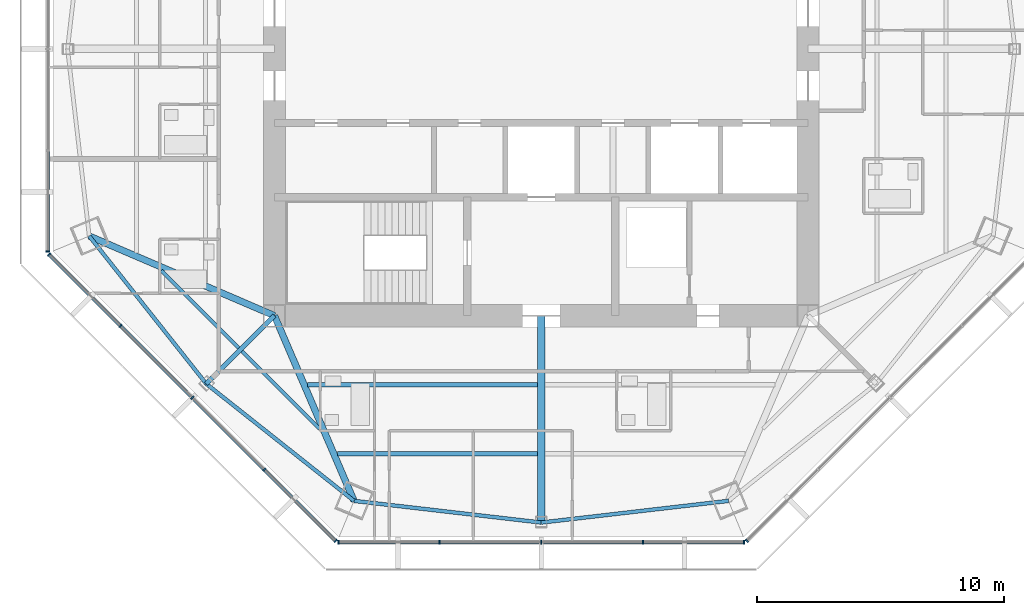
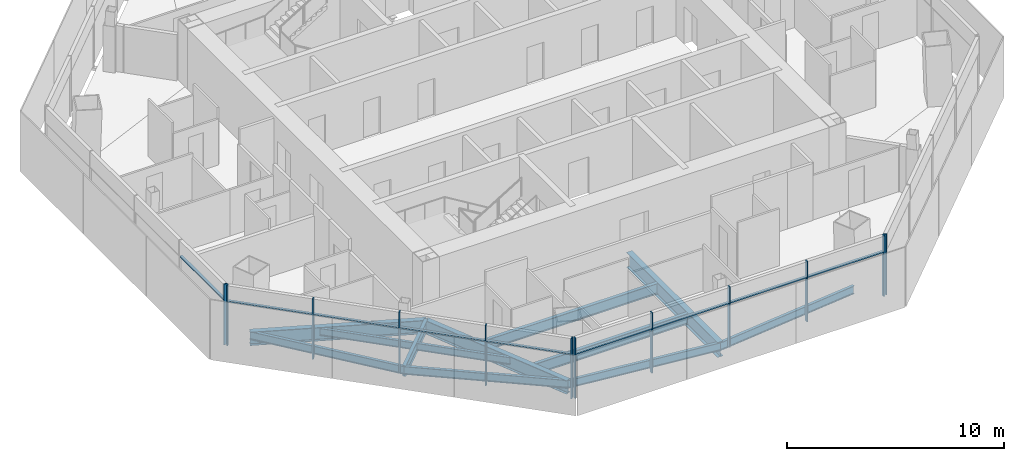
# One storey, part 2 of 14: 21 members, 12 beams, 4 elements without a shape of their own.
"""IFC4 building model written with IfcOpenShell, lengths in metres."""

from ifc_helpers import new_model, si_unit, direction, frame, origin, origin_2d, place, context, subcontext, project, spatial, rectangle, i_section, extrude, source, transform, mapped, material, material_profile, profile_set, type_object, type_shapes, element, aggregate, save


model = new_model("IFC4")

# Units and contexts
model_context = context("Model", 3, precision=1e-05, world=origin(), true_north=direction((0.0, 1.0)))
body_context = subcontext(model_context, "Body", "Model", "MODEL_VIEW")
ifc_project = project(units=[si_unit("LENGTHUNIT", "METRE"), si_unit("AREAUNIT", "SQUARE_METRE"), si_unit("VOLUMEUNIT", "CUBIC_METRE"), si_unit("PLANEANGLEUNIT", "RADIAN"), si_unit("MASSUNIT", "GRAM", prefix="KILO")], contexts=[model_context])

# Site, building, storey
site_placement = place(None, origin())
site = spatial("IfcSite", under=ifc_project, at=site_placement, CompositionType="ELEMENT")
building_placement = place(site_placement, origin())
building = spatial("IfcBuilding", under=site, at=building_placement, Name="Mashrafa Tower", CompositionType="ELEMENT")
storey_placement = place(building_placement, frame((0.0, 0.0, 284.39990234375)))
storey = spatial("IfcBuildingStorey", under=building, at=storey_placement, Name="L69", CompositionType="ELEMENT", Elevation=284.39990234375)

# Beams
ifc_material_1 = material(Name="Steel ASTM A992", Category="steel")
ifc_material_profile_1 = material_profile(ifc_material_1, i_section(OverallWidth=0.140380859375, OverallDepth=0.40380859375, WebThickness=0.007080078125, FlangeThickness=0.01123046875, FilletRadius=0.01025390625, at=origin_2d()), Name="W16X31")
ifc_profile_set_1 = profile_set([ifc_material_profile_1], Name="Steel ASTM A992")
beam_type_1 = type_object("IfcBeamType", Name="Beam W16X31", PredefinedType="BEAM", material=ifc_profile_set_1)
for number, where, z_axis, x_axis, name in (
    (1, (-12.242431640625, -12.116455078125, -0.40185546875), (-0.707106781187, 0.707106781187, 0.0), (-0.707106781187, -0.707106781187, 0.0), "Floor beam L69 006"),
    (2, (-8.97607421875, -15.3828125, -0.40185546875), (-0.707106781187, 0.707106781187, 0.0), (-0.707106781187, -0.707106781187, 0.0), "Floor beam L69 009"),
):
    element("IfcBeam", number, at=place(storey_placement, frame(where, z_axis=z_axis, x_axis=x_axis)), inside=storey, type_object=beam_type_1, Name=name, PredefinedType="BEAM", context=body_context, shape_type="SweptSolid", body=[
        extrude(i_section(OverallWidth=0.140380859375, OverallDepth=0.40380859375, WebThickness=0.007080078125, FlangeThickness=0.01123046875, FilletRadius=0.01025390625, at=origin_2d()), origin(), (0.0, 0.0, 1.0), 4.441162109375),
    ])
ifc_material_2 = material(Name="Steel ASTM A992", Category="steel")
ifc_material_profile_2 = material_profile(ifc_material_2, i_section(OverallWidth=0.15234375, OverallDepth=0.449462890625, WebThickness=0.007568359375, FlangeThickness=0.0107421875, FilletRadius=0.01025390625, at=origin_2d()), Name="W18X35")
ifc_profile_set_2 = profile_set([ifc_material_profile_2], Name="Steel ASTM A992")
beam_type_2 = type_object("IfcBeamType", Name="Beam W18X35", PredefinedType="BEAM", material=ifc_profile_set_2)
for number, where, z_axis, x_axis, name in (
    (3, (-18.296875, -7.578857421875, -0.4248046875), (0.621015992224, -0.783797893211, 0.0), (0.783797893211, 0.621015992224, 0.0), "Spandrel beam L69 042"),
    (4, (-13.558837890625, -13.558837890625, -0.4248046875), (0.783797893211, -0.621015992224, 0.0), (0.621015992224, 0.783797893211, 0.0), "Spandrel beam L69 044"),
):
    element("IfcBeam", number, at=place(storey_placement, frame(where, z_axis=z_axis, x_axis=x_axis)), inside=storey, type_object=beam_type_2, Name=name, PredefinedType="BEAM", context=body_context, shape_type="SweptSolid", body=[
        extrude(i_section(OverallWidth=0.15234375, OverallDepth=0.449462890625, WebThickness=0.007568359375, FlangeThickness=0.0107421875, FilletRadius=0.01025390625, at=origin_2d()), origin(), (0.0, 0.0, 1.0), 7.62939453125),
    ])
for number, where, z_axis, x_axis, name in (
    (5, (-7.578857421875, -18.296875, -0.4248046875), (0.993353745057, -0.115101421286, 0.0), (0.115101421286, 0.993353745057, 0.0), "Spandrel beam L69 046"),
    (6, (0.0, -19.175048828125, -0.4248046875), (0.993353745057, 0.115101421286, 0.0), (-0.115101421286, 0.993353745057, 0.0), "Spandrel beam L69 048"),
):
    element("IfcBeam", number, at=place(storey_placement, frame(where, z_axis=z_axis, x_axis=x_axis)), inside=storey, type_object=beam_type_2, Name=name, PredefinedType="BEAM", context=body_context, shape_type="SweptSolid", body=[
        extrude(i_section(OverallWidth=0.15234375, OverallDepth=0.449462890625, WebThickness=0.007568359375, FlangeThickness=0.0107421875, FilletRadius=0.01025390625, at=origin_2d()), origin(), (0.0, 0.0, 1.0), 7.629638671875),
    ])
ifc_material_3 = material(Name="Steel ASTM A992", Category="steel")
ifc_material_profile_3 = material_profile(ifc_material_3, i_section(OverallWidth=0.177978515625, OverallDepth=0.599365234375, WebThickness=0.010009765625, FlangeThickness=0.012939453125, FilletRadius=0.012939453125, at=origin_2d()), Name="W24X55")
ifc_profile_set_3 = profile_set([ifc_material_profile_3], Name="Steel ASTM A992")
beam_type_3 = type_object("IfcBeamType", Name="Beam W24X55", PredefinedType="BEAM", material=ifc_profile_set_3)
beam_1_placement = place(storey_placement, frame((-0.14599609375, -16.38330078125, -0.49951171875), z_axis=(-1.0, 0.0, 0.0), x_axis=(0.0, -1.0, 0.0)))
element("IfcBeam", 7, at=beam_1_placement, inside=storey, type_object=beam_type_3, Name="Floor beam L69 011", PredefinedType="BEAM", context=body_context, shape_type="SweptSolid", body=[
    extrude(i_section(OverallWidth=0.177978515625, OverallDepth=0.599365234375, WebThickness=0.010009765625, FlangeThickness=0.012939453125, FilletRadius=0.012939453125, at=origin_2d()), origin(), (0.0, 0.0, 1.0), 8.10986328125),
])
beam_2_placement = place(storey_placement, frame((-0.14599609375, -13.591796875, -0.49951171875), z_axis=(-1.0, 0.0, 0.0), x_axis=(0.0, -1.0, 0.0)))
element("IfcBeam", 8, at=beam_2_placement, inside=storey, type_object=beam_type_3, Name="Floor beam L69 012", PredefinedType="BEAM", context=body_context, shape_type="SweptSolid", body=[
    extrude(i_section(OverallWidth=0.177978515625, OverallDepth=0.599365234375, WebThickness=0.010009765625, FlangeThickness=0.012939453125, FilletRadius=0.012939453125, at=origin_2d()), origin(), (0.0, 0.0, 1.0), 9.309326171875),
])
beam_3_placement = place(storey_placement, frame((-10.800048828125, -10.800048828125, -0.49951171875), z_axis=(-0.707106781187, -0.707106781187, 0.0), x_axis=(0.707106781187, -0.707106781187, 0.0)))
element("IfcBeam", 9, at=beam_3_placement, inside=storey, type_object=beam_type_3, Name="Radial girder L69 026", PredefinedType="BEAM", context=body_context, shape_type="SweptSolid", body=[
    extrude(i_section(OverallWidth=0.177978515625, OverallDepth=0.599365234375, WebThickness=0.010009765625, FlangeThickness=0.012939453125, FilletRadius=0.012939453125, at=origin_2d()), origin(), (0.0, 0.0, 1.0), 3.901611328125),
])
ifc_material_4 = material(Name="Steel ASTM A992", Category="steel")
ifc_material_profile_4 = material_profile(ifc_material_4, i_section(OverallWidth=0.2666015625, OverallDepth=0.761962890625, WebThickness=0.014404296875, FlangeThickness=0.021484375, FilletRadius=0.0166015625, at=origin_2d()), Name="W30X116")
ifc_profile_set_4 = profile_set([ifc_material_profile_4], Name="Steel ASTM A992")
beam_type_4 = type_object("IfcBeamType", Name="Beam W30X116", PredefinedType="BEAM", material=ifc_profile_set_4)
for number, where, z_axis, x_axis, name in (
    (10, (-10.800048828125, -10.800048828125, -0.580810546875), (-0.918777843899, 0.394774965721, 0.0), (-0.394774965721, -0.918777843899, 0.0), "Radial girder L69 025"),
    (11, (-10.800048828125, -10.800048828125, -0.580810546875), (0.394774965721, -0.918777843899, 0.0), (0.918777843899, 0.394774965721, 0.0), "Radial girder L69 027"),
):
    element("IfcBeam", number, at=place(storey_placement, frame(where, z_axis=z_axis, x_axis=x_axis)), inside=storey, type_object=beam_type_4, Name=name, PredefinedType="BEAM", context=body_context, shape_type="SweptSolid", body=[
        extrude(i_section(OverallWidth=0.2666015625, OverallDepth=0.761962890625, WebThickness=0.014404296875, FlangeThickness=0.021484375, FilletRadius=0.0166015625, at=origin_2d()), origin(), (0.0, 0.0, 1.0), 8.15966796875),
    ])
ifc_material_5 = material(Name="Steel ASTM A992", Category="steel")
ifc_material_profile_5 = material_profile(ifc_material_5, i_section(OverallWidth=0.2919921875, OverallDepth=0.845703125, WebThickness=0.015380859375, FlangeThickness=0.0244140625, FilletRadius=0.017333984375, at=origin_2d()), Name="W33X141")
ifc_profile_set_5 = profile_set([ifc_material_profile_5], Name="Steel ASTM A992")
beam_type_5 = type_object("IfcBeamType", Name="Beam W33X141", PredefinedType="BEAM", material=ifc_profile_set_5)
beam_4_placement = place(storey_placement, frame((0.0, -10.800048828125, -0.622802734375), z_axis=(0.0, -1.0, 0.0), x_axis=(1.0, 0.0, 0.0)))
element("IfcBeam", 12, at=beam_4_placement, inside=storey, type_object=beam_type_5, Name="Radial girder L69 032", PredefinedType="BEAM", context=body_context, shape_type="SweptSolid", body=[
    extrude(i_section(OverallWidth=0.2919921875, OverallDepth=0.845703125, WebThickness=0.015380859375, FlangeThickness=0.0244140625, FilletRadius=0.017333984375, at=origin_2d()), origin(), (0.0, 0.0, 1.0), 8.375),
])

# Curtain wall, member
ifc_material_6 = material(Name="Unitised aluminium curtain wall", Category="aluminium")
curtain_wall_type = type_object("IfcCurtainWallType", Name="Apartment curtain wall, zone 4 CW-D 160 deep", PredefinedType="NOTDEFINED", material=ifc_material_6)
curtain_wall_1_placement = place(storey_placement, origin())
curtain_wall_1 = element("IfcCurtainWall", 13, at=curtain_wall_1_placement, inside=storey, type_object=curtain_wall_type, Name="Apartment curtain wall, zone 4 L69 west", PredefinedType="NOTDEFINED")
ifc_material_7 = material(Name="Extruded aluminium mullion", Category="aluminium")
ifc_material_profile_6 = material_profile(ifc_material_7, rectangle(XDim=0.159912109375, YDim=0.06005859375, at=origin_2d()), Name="Mullion 60x160")
ifc_profile_set_6 = profile_set([ifc_material_profile_6], Name="Extruded aluminium mullion")
member_type_1 = type_object("IfcMemberType", Name="Mullion CW-D 60 x 160", PredefinedType="MULLION", material=ifc_profile_set_6)
shared_shape_1 = source(origin(), body_context, "Body", "SweptSolid", [
    extrude(rectangle(XDim=0.159912109375, YDim=0.06005859375, at=origin_2d()), origin(), (0.0, 0.0, 1.0), 3.400146484375),
])
type_shapes(member_type_1, [shared_shape_1])
member_1_placement = place(storey_placement, frame((-19.969482421875, -8.198486328125, 0.0), z_axis=(0.0, 0.0, 1.0), x_axis=(1.0, 0.0, 0.0)))
member_1 = element("IfcMember", 14, at=member_1_placement, type_object=member_type_1, Name="CW-D mullion 5", PredefinedType="MULLION", context=body_context, shape_type="MappedRepresentation", body=[
    mapped(shared_shape_1, transform((0.0, 0.0, 0.0))),
])

# Curtain wall, members
curtain_wall_2_placement = place(storey_placement, origin())
curtain_wall_2 = element("IfcCurtainWall", 15, at=curtain_wall_2_placement, inside=storey, type_object=curtain_wall_type, Name="Apartment curtain wall, zone 4 L69 south-west", PredefinedType="NOTDEFINED")
member_2_placement = place(storey_placement, frame((-19.917724609375, -8.3232421875, 0.0), z_axis=(0.0, 0.0, 1.0), x_axis=(0.707106781187, 0.707106781187, 0.0)))
member_2 = element("IfcMember", 16, at=member_2_placement, type_object=member_type_1, Name="CW-D mullion 1", PredefinedType="MULLION", context=body_context, shape_type="MappedRepresentation", body=[
    mapped(shared_shape_1, transform((0.0, 0.0, 0.0))),
])
member_3_placement = place(storey_placement, frame((-17.02978515625, -11.21142578125, 0.0), z_axis=(0.0, 0.0, 1.0), x_axis=(0.707106781187, 0.707106781187, 0.0)))
member_3 = element("IfcMember", 17, at=member_3_placement, type_object=member_type_1, Name="CW-D mullion 2", PredefinedType="MULLION", context=body_context, shape_type="MappedRepresentation", body=[
    mapped(shared_shape_1, transform((0.0, 0.0, 0.0))),
])
member_4_placement = place(storey_placement, frame((-14.12060546875, -14.12060546875, 0.0), z_axis=(0.0, 0.0, 1.0), x_axis=(0.707106781187, 0.707106781187, 0.0)))
member_4 = element("IfcMember", 18, at=member_4_placement, type_object=member_type_1, Name="CW-D mullion 3", PredefinedType="MULLION", context=body_context, shape_type="MappedRepresentation", body=[
    mapped(shared_shape_1, transform((0.0, 0.0, 0.0))),
])
member_5_placement = place(storey_placement, frame((-11.21142578125, -17.02978515625, 0.0), z_axis=(0.0, 0.0, 1.0), x_axis=(0.707106781187, 0.707106781187, 0.0)))
member_5 = element("IfcMember", 19, at=member_5_placement, type_object=member_type_1, Name="CW-D mullion 4", PredefinedType="MULLION", context=body_context, shape_type="MappedRepresentation", body=[
    mapped(shared_shape_1, transform((0.0, 0.0, 0.0))),
])
member_6_placement = place(storey_placement, frame((-8.3232421875, -19.917724609375, 0.0), z_axis=(0.0, 0.0, 1.0), x_axis=(0.707106781187, 0.707106781187, 0.0)))
member_6 = element("IfcMember", 20, at=member_6_placement, type_object=member_type_1, Name="CW-D mullion 5", PredefinedType="MULLION", context=body_context, shape_type="MappedRepresentation", body=[
    mapped(shared_shape_1, transform((0.0, 0.0, 0.0))),
])

curtain_wall_3_placement = place(storey_placement, origin())
curtain_wall_3 = element("IfcCurtainWall", 21, at=curtain_wall_3_placement, inside=storey, type_object=curtain_wall_type, Name="Apartment curtain wall, zone 4 L69 south", PredefinedType="NOTDEFINED")
member_7_placement = place(storey_placement, frame((-8.198486328125, -19.969482421875, 0.0), z_axis=(0.0, 0.0, 1.0), x_axis=(0.0, 1.0, 0.0)))
member_7 = element("IfcMember", 22, at=member_7_placement, type_object=member_type_1, Name="CW-D mullion 1", PredefinedType="MULLION", context=body_context, shape_type="MappedRepresentation", body=[
    mapped(shared_shape_1, transform((0.0, 0.0, 0.0))),
])
member_8_placement = place(storey_placement, frame((-4.1142578125, -19.969482421875, 0.0), z_axis=(0.0, 0.0, 1.0), x_axis=(0.0, 1.0, 0.0)))
member_8 = element("IfcMember", 23, at=member_8_placement, type_object=member_type_1, Name="CW-D mullion 2", PredefinedType="MULLION", context=body_context, shape_type="MappedRepresentation", body=[
    mapped(shared_shape_1, transform((0.0, 0.0, 0.0))),
])
member_9_placement = place(storey_placement, frame((0.0, -19.969482421875, 0.0), z_axis=(0.0, 0.0, 1.0), x_axis=(0.0, 1.0, 0.0)))
member_9 = element("IfcMember", 24, at=member_9_placement, type_object=member_type_1, Name="CW-D mullion 3", PredefinedType="MULLION", context=body_context, shape_type="MappedRepresentation", body=[
    mapped(shared_shape_1, transform((0.0, 0.0, 0.0))),
])
member_10_placement = place(storey_placement, frame((4.1142578125, -19.969482421875, 0.0), z_axis=(0.0, 0.0, 1.0), x_axis=(0.0, 1.0, 0.0)))
member_10 = element("IfcMember", 25, at=member_10_placement, type_object=member_type_1, Name="CW-D mullion 4", PredefinedType="MULLION", context=body_context, shape_type="MappedRepresentation", body=[
    mapped(shared_shape_1, transform((0.0, 0.0, 0.0))),
])
member_11_placement = place(storey_placement, frame((8.198486328125, -19.969482421875, 0.0), z_axis=(0.0, 0.0, 1.0), x_axis=(0.0, 1.0, 0.0)))
member_11 = element("IfcMember", 26, at=member_11_placement, type_object=member_type_1, Name="CW-D mullion 5", PredefinedType="MULLION", context=body_context, shape_type="MappedRepresentation", body=[
    mapped(shared_shape_1, transform((0.0, 0.0, 0.0))),
])

# Curtain wall, member
curtain_wall_4_placement = place(storey_placement, origin())
curtain_wall_4 = element("IfcCurtainWall", 27, at=curtain_wall_4_placement, inside=storey, type_object=curtain_wall_type, Name="Apartment curtain wall, zone 4 L69 south-east", PredefinedType="NOTDEFINED")
member_12_placement = place(storey_placement, frame((8.3232421875, -19.917724609375, 0.0), z_axis=(0.0, 0.0, 1.0), x_axis=(-0.707106781187, 0.707106781187, 0.0)))
member_12 = element("IfcMember", 28, at=member_12_placement, type_object=member_type_1, Name="CW-D mullion 1", PredefinedType="MULLION", context=body_context, shape_type="MappedRepresentation", body=[
    mapped(shared_shape_1, transform((0.0, 0.0, 0.0))),
])
aggregate(curtain_wall_4, [member_12])

# Member
ifc_material_8 = material(Name="Extruded aluminium transom", Category="aluminium")
ifc_material_profile_7 = material_profile(ifc_material_8, rectangle(XDim=0.1279296875, YDim=0.074951171875, at=origin_2d()), Name="Transom 75x128")
ifc_profile_set_7 = profile_set([ifc_material_profile_7], Name="Extruded aluminium transom")
member_type_2 = type_object("IfcMemberType", Name="Transom CW-D 75 x 128", PredefinedType="MULLION", material=ifc_profile_set_7)
shared_shape_2 = source(origin(), body_context, "Body", "SweptSolid", [
    extrude(rectangle(XDim=0.1279296875, YDim=0.074951171875, at=origin_2d()), origin(), (0.0, 0.0, 1.0), 4.024169921875),
])
member_13_placement = place(storey_placement, frame((-19.969482421875, -4.144287109375, 2.5), z_axis=(0.0, -1.0, 0.0), x_axis=(1.0, 0.0, 0.0)))
member_13 = element("IfcMember", 29, at=member_13_placement, type_object=member_type_2, Name="CW-D transom 4", PredefinedType="MULLION", context=body_context, shape_type="MappedRepresentation", body=[
    mapped(shared_shape_2, transform((0.0, 0.0, 0.0))),
])

aggregate(curtain_wall_1, [member_1, member_13])

member_14_placement = place(storey_placement, frame((-19.896484375, -8.344482421875, 2.5), z_axis=(0.707076446926, -0.707137114146, 0.0), x_axis=(0.707137114146, 0.707076446926, 0.0)))
member_14 = element("IfcMember", 30, at=member_14_placement, type_object=member_type_2, Name="CW-D transom 1", PredefinedType="MULLION", context=body_context, shape_type="MappedRepresentation", body=[
    mapped(shared_shape_2, transform((0.0, 0.0, 0.0))),
])

member_15_placement = place(storey_placement, frame((-11.190185546875, -17.051025390625, 2.5), z_axis=(0.707137114146, -0.707076446926, 0.0), x_axis=(0.707076446926, 0.707137114146, 0.0)))
member_15 = element("IfcMember", 31, at=member_15_placement, type_object=member_type_2, Name="CW-D transom 4", PredefinedType="MULLION", context=body_context, shape_type="MappedRepresentation", body=[
    mapped(shared_shape_2, transform((0.0, 0.0, 0.0))),
])

member_16_placement = place(storey_placement, frame((-8.16845703125, -19.969482421875, 2.5), z_axis=(1.0, 0.0, 0.0), x_axis=(0.0, 1.0, 0.0)))
member_16 = element("IfcMember", 32, at=member_16_placement, type_object=member_type_2, Name="CW-D transom 1", PredefinedType="MULLION", context=body_context, shape_type="MappedRepresentation", body=[
    mapped(shared_shape_2, transform((0.0, 0.0, 0.0))),
])

member_17_placement = place(storey_placement, frame((4.144287109375, -19.969482421875, 2.5), z_axis=(1.0, 0.0, 0.0), x_axis=(0.0, 1.0, 0.0)))
member_17 = element("IfcMember", 33, at=member_17_placement, type_object=member_type_2, Name="CW-D transom 4", PredefinedType="MULLION", context=body_context, shape_type="MappedRepresentation", body=[
    mapped(shared_shape_2, transform((0.0, 0.0, 0.0))),
])

shared_shape_3 = source(origin(), body_context, "Body", "SweptSolid", [
    extrude(rectangle(XDim=0.1279296875, YDim=0.074951171875, at=origin_2d()), origin(), (0.0, 0.0, 1.0), 4.05419921875),
])
type_shapes(member_type_2, [shared_shape_2, shared_shape_3])
member_18_placement = place(storey_placement, frame((-17.008544921875, -11.232421875, 2.5), z_axis=(0.707076671677, -0.707136889414, 0.0), x_axis=(0.707136889414, 0.707076671677, 0.0)))
member_18 = element("IfcMember", 34, at=member_18_placement, type_object=member_type_2, Name="CW-D transom 2", PredefinedType="MULLION", context=body_context, shape_type="MappedRepresentation", body=[
    mapped(shared_shape_3, transform((0.0, 0.0, 0.0))),
])

member_19_placement = place(storey_placement, frame((-14.099365234375, -14.141845703125, 2.5), z_axis=(0.707136889414, -0.707076671677, 0.0), x_axis=(0.707076671677, 0.707136889414, 0.0)))
member_19 = element("IfcMember", 35, at=member_19_placement, type_object=member_type_2, Name="CW-D transom 3", PredefinedType="MULLION", context=body_context, shape_type="MappedRepresentation", body=[
    mapped(shared_shape_3, transform((0.0, 0.0, 0.0))),
])

aggregate(curtain_wall_2, [member_2, member_3, member_4, member_5, member_6, member_14, member_18, member_19, member_15])

member_20_placement = place(storey_placement, frame((-4.084228515625, -19.969482421875, 2.5), z_axis=(1.0, 0.0, 0.0), x_axis=(0.0, 1.0, 0.0)))
member_20 = element("IfcMember", 36, at=member_20_placement, type_object=member_type_2, Name="CW-D transom 2", PredefinedType="MULLION", context=body_context, shape_type="MappedRepresentation", body=[
    mapped(shared_shape_3, transform((0.0, 0.0, 0.0))),
])

member_21_placement = place(storey_placement, frame((0.030029296875, -19.969482421875, 2.5), z_axis=(1.0, 0.0, 0.0), x_axis=(0.0, 1.0, 0.0)))
member_21 = element("IfcMember", 37, at=member_21_placement, type_object=member_type_2, Name="CW-D transom 3", PredefinedType="MULLION", context=body_context, shape_type="MappedRepresentation", body=[
    mapped(shared_shape_3, transform((0.0, 0.0, 0.0))),
])

aggregate(curtain_wall_3, [member_7, member_8, member_9, member_10, member_11, member_16, member_20, member_21, member_17])

save(model, "model.ifc")
